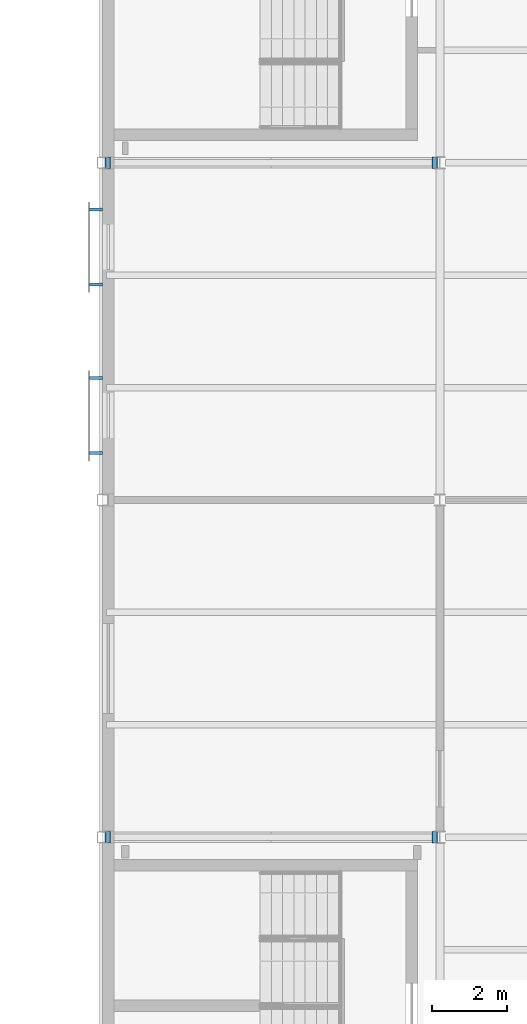
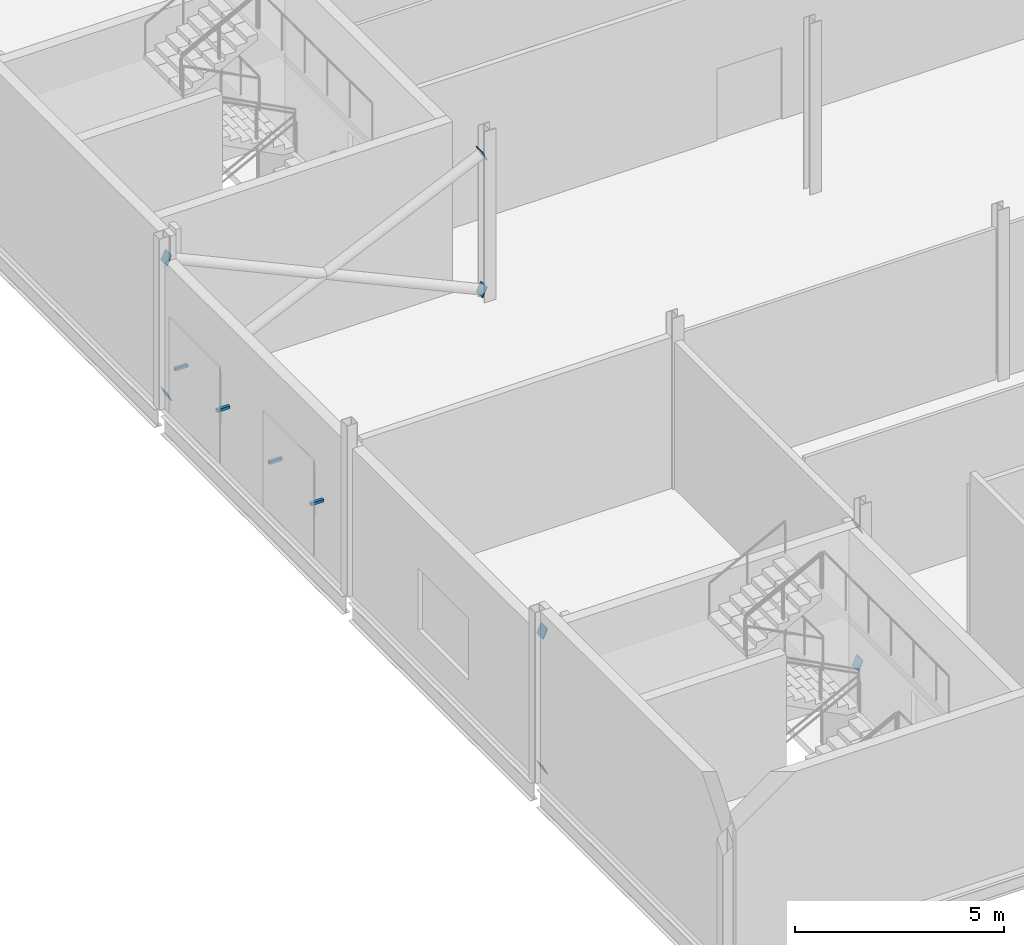
# One storey, part 94 of 112: 12 discrete accessories.
"""IFC4 building model written with IfcOpenShell, lengths in metres."""

from ifc_helpers import new_model, si_unit, direction, frame, origin, origin_2d, place, context, subcontext, project, spatial, polyline, rectangle, outline, extrude, material, layer, layer_set, type_object, element, save


model = new_model("IFC4")

# Units and contexts
model_context = context("Model", 3, precision=1e-05, world=origin(), true_north=direction((0.0, 1.0)))
body_context = subcontext(model_context, "Body", "Model", "MODEL_VIEW")
ifc_project = project(units=[si_unit("LENGTHUNIT", "METRE"), si_unit("AREAUNIT", "SQUARE_METRE"), si_unit("VOLUMEUNIT", "CUBIC_METRE"), si_unit("PLANEANGLEUNIT", "RADIAN"), si_unit("MASSUNIT", "GRAM", prefix="KILO")], contexts=[model_context])

# Site, building, storey
site_placement = place(None, origin())
site = spatial("IfcSite", under=ifc_project, at=site_placement, CompositionType="ELEMENT")
building_placement = place(site_placement, origin())
building = spatial("IfcBuilding", under=site, at=building_placement, Name="Shorebreak Coast Museum", CompositionType="ELEMENT")
storey_placement = place(building_placement, frame((0.0, 0.0, 6.0)))
storey = spatial("IfcBuildingStorey", under=building, at=storey_placement, Name="L01", CompositionType="ELEMENT", Elevation=6.0)

# Discrete accessories
ifc_material_1 = material(Name="Steel Grade 300", Category="steel")
ifc_layer = layer(ifc_material_1, 0.02490234375)
ifc_layer_set = layer_set([ifc_layer], Name="Steel Grade 300")
discrete_accessory_type_1 = type_object("IfcDiscreteAccessoryType", Name="End plate 300 x 300 x 25", PredefinedType="BRACKET", material=ifc_layer_set)
discrete_accessory_1_placement = place(storey_placement, frame((54.21240234375, 8.85009765625, 0.16357421875), z_axis=(0.909360103086, 0.0, 0.416009859156), x_axis=(0.0, 1.0, 0.0)))
element("IfcDiscreteAccessory", 1, at=discrete_accessory_1_placement, inside=storey, type_object=discrete_accessory_type_1, Name="End plate X-brace bay 13 L01 diagonal 1 end 1", PredefinedType="BRACKET", context=body_context, shape_type="SweptSolid", body=[
    extrude(outline(polyline([(0.0, 0.0), (0.2998046875, 0.0), (0.2998046875, 0.29988678544336883), (0.0, 0.29988678544336883), (0.0, 0.0)])), origin(), (0.0, 0.0, -1.0), 0.02490234375),
])
discrete_accessory_2_placement = place(storey_placement, frame((62.9306640625, 8.85009765625, 4.14892578125), z_axis=(0.909500839953, 0.0, 0.415702083378), x_axis=(0.0, 1.0, 0.0)))
element("IfcDiscreteAccessory", 2, at=discrete_accessory_2_placement, inside=storey, type_object=discrete_accessory_type_1, Name="End plate X-brace bay 13 L01 diagonal 1 end 2", PredefinedType="BRACKET", context=body_context, shape_type="SweptSolid", body=[
    extrude(outline(polyline([(0.0, 0.0), (0.2998046875, 0.0), (0.2998046875, 0.30010881437343706), (0.0, 0.30010881437343706), (0.0, 0.0)])), origin(), (0.0, 0.0, -1.0), 0.02490234375),
])
discrete_accessory_3_placement = place(storey_placement, frame((62.783203125, 9.14990234375, 0.16357421875), z_axis=(-0.909360103086, 0.0, 0.416009859156), x_axis=(0.0, -1.0, 0.0)))
element("IfcDiscreteAccessory", 3, at=discrete_accessory_3_placement, inside=storey, type_object=discrete_accessory_type_1, Name="End plate X-brace bay 13 L01 diagonal 2 end 1", PredefinedType="BRACKET", context=body_context, shape_type="SweptSolid", body=[
    extrude(outline(polyline([(0.0, 0.0), (0.2998046875, 0.0), (0.2998046875, 0.29988678544336883), (0.0, 0.29988678544336883), (0.0, 0.0)])), origin(), (0.0, 0.0, -1.0), 0.02490234375),
])
discrete_accessory_4_placement = place(storey_placement, frame((54.06494140625, 9.14990234375, 4.14892578125), z_axis=(-0.909500839953, 0.0, 0.415702083378), x_axis=(0.0, -1.0, 0.0)))
element("IfcDiscreteAccessory", 4, at=discrete_accessory_4_placement, inside=storey, type_object=discrete_accessory_type_1, Name="End plate X-brace bay 13 L01 diagonal 2 end 2", PredefinedType="BRACKET", context=body_context, shape_type="SweptSolid", body=[
    extrude(outline(polyline([(0.0, 0.0), (0.2998046875, 0.0), (0.2998046875, 0.30010881437343706), (0.0, 0.30010881437343706), (0.0, 0.0)])), origin(), (0.0, 0.0, -1.0), 0.02490234375),
])
discrete_accessory_5_placement = place(storey_placement, frame((54.21240234375, 26.85009765625, 0.16357421875), z_axis=(0.909360103086, 0.0, 0.416009859156), x_axis=(0.0, 1.0, 0.0)))
element("IfcDiscreteAccessory", 5, at=discrete_accessory_5_placement, inside=storey, type_object=discrete_accessory_type_1, Name="End plate X-brace bay 15 L01 diagonal 1 end 1", PredefinedType="BRACKET", context=body_context, shape_type="SweptSolid", body=[
    extrude(outline(polyline([(0.0, 0.0), (0.2998046875, 0.0), (0.2998046875, 0.29988678544336883), (0.0, 0.29988678544336883), (0.0, 0.0)])), origin(), (0.0, 0.0, -1.0), 0.02490234375),
])
discrete_accessory_6_placement = place(storey_placement, frame((62.9306640625, 26.85009765625, 4.14892578125), z_axis=(0.909500839953, 0.0, 0.415702083378), x_axis=(0.0, 1.0, 0.0)))
element("IfcDiscreteAccessory", 6, at=discrete_accessory_6_placement, inside=storey, type_object=discrete_accessory_type_1, Name="End plate X-brace bay 15 L01 diagonal 1 end 2", PredefinedType="BRACKET", context=body_context, shape_type="SweptSolid", body=[
    extrude(outline(polyline([(0.0, 0.0), (0.2998046875, 0.0), (0.2998046875, 0.30010881437343706), (0.0, 0.30010881437343706), (0.0, 0.0)])), origin(), (0.0, 0.0, -1.0), 0.02490234375),
])
discrete_accessory_7_placement = place(storey_placement, frame((62.783203125, 27.14990234375, 0.16357421875), z_axis=(-0.909360103086, 0.0, 0.416009859156), x_axis=(0.0, -1.0, 0.0)))
element("IfcDiscreteAccessory", 7, at=discrete_accessory_7_placement, inside=storey, type_object=discrete_accessory_type_1, Name="End plate X-brace bay 15 L01 diagonal 2 end 1", PredefinedType="BRACKET", context=body_context, shape_type="SweptSolid", body=[
    extrude(outline(polyline([(0.0, 0.0), (0.2998046875, 0.0), (0.2998046875, 0.29988678544336883), (0.0, 0.29988678544336883), (0.0, 0.0)])), origin(), (0.0, 0.0, -1.0), 0.02490234375),
])
discrete_accessory_8_placement = place(storey_placement, frame((54.06494140625, 27.14990234375, 4.14892578125), z_axis=(-0.909500839953, 0.0, 0.415702083378), x_axis=(0.0, -1.0, 0.0)))
element("IfcDiscreteAccessory", 8, at=discrete_accessory_8_placement, inside=storey, type_object=discrete_accessory_type_1, Name="End plate X-brace bay 15 L01 diagonal 2 end 2", PredefinedType="BRACKET", context=body_context, shape_type="SweptSolid", body=[
    extrude(outline(polyline([(0.0, 0.0), (0.2998046875, 0.0), (0.2998046875, 0.30010881437343706), (0.0, 0.30010881437343706), (0.0, 0.0)])), origin(), (0.0, 0.0, -1.0), 0.02490234375),
])
ifc_material_2 = material(Name="Aluminium", Category="aluminium")
discrete_accessory_type_2 = type_object("IfcDiscreteAccessoryType", Name="Fixing bracket 80 x 350", PredefinedType="BRACKET", material=ifc_material_2)
for number, where, z_axis, x_axis, name in (
    (9, (53.824951171875, 19.25, 1.909912109375), (0.0, 0.0, 1.0), (1.0, 0.0, 0.0), "Fixing bracket"),
    (10, (53.824951171875, 21.25, 1.909912109375), (0.0, 0.0, 1.0), (1.0, 0.0, 0.0), "Fixing bracket"),
    (11, (53.824951171875, 23.75, 1.909912109375), (0.0, 0.0, 1.0), (1.0, 0.0, 0.0), "Fixing bracket"),
    (12, (53.824951171875, 25.75, 1.909912109375), (0.0, 0.0, 1.0), (1.0, 0.0, 0.0), "Fixing bracket"),
):
    element("IfcDiscreteAccessory", number, at=place(storey_placement, frame(where, z_axis=z_axis, x_axis=x_axis)), inside=storey, type_object=discrete_accessory_type_2, Name=name, PredefinedType="BRACKET", context=body_context, shape_type="SweptSolid", body=[
        extrude(rectangle(XDim=0.35009765625, YDim=0.080078125, at=origin_2d()), origin(), (0.0, 0.0, 1.0), 0.080078125),
    ])

save(model, "model.ifc")
